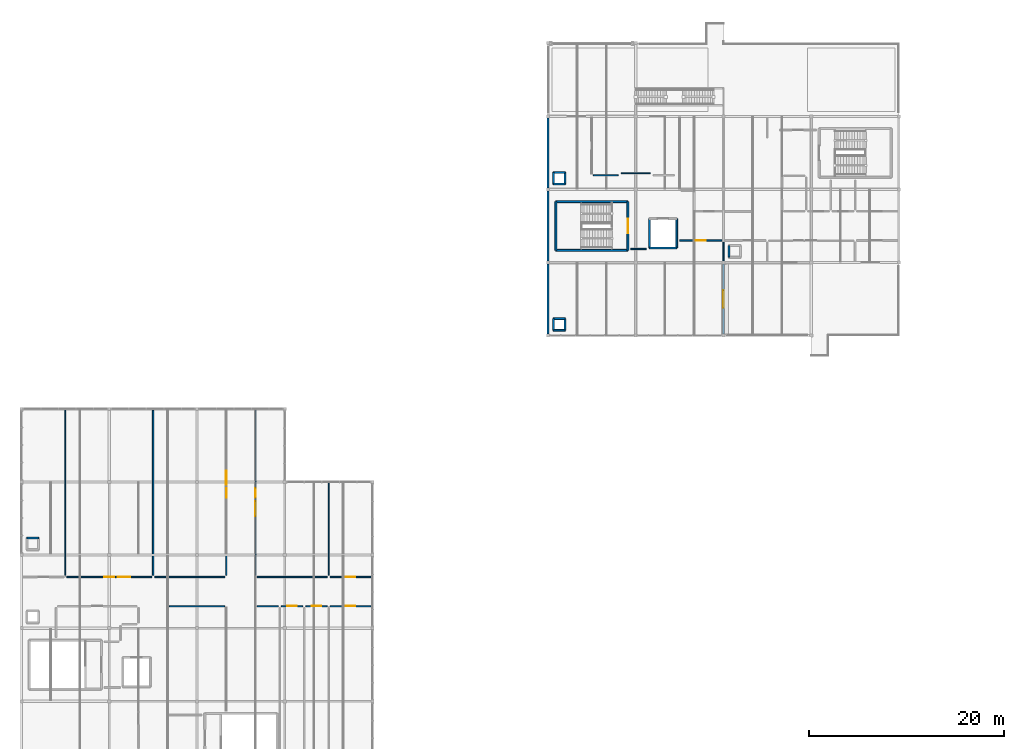
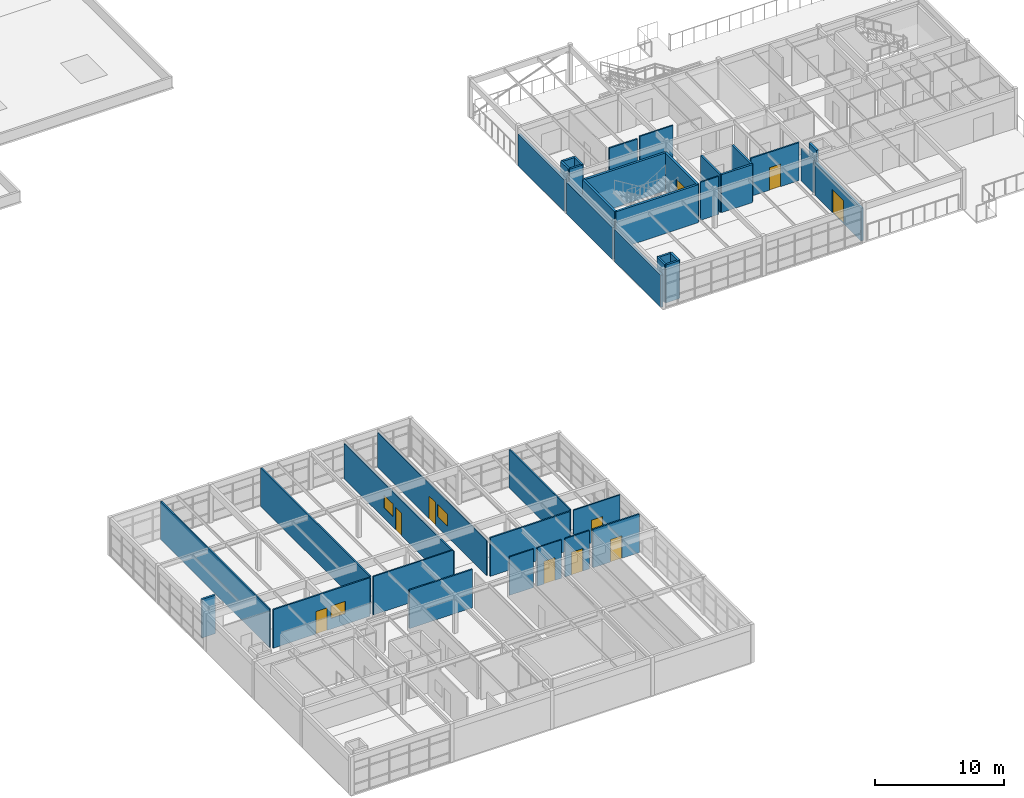
# One storey, part 19 of 24: 40 walls, 10 doors, 3 windows, 13 openings.
"""IFC4 building model written with IfcOpenShell, lengths in metres."""

from ifc_helpers import new_model, si_unit, direction, frame, frame_2d, origin, place, context, subcontext, project, spatial, rectangle, extrude, material, layer, layer_set, type_object, element, fill, save


model = new_model("IFC4")

# Units and contexts
model_context = context("Model", 3, precision=1e-05, world=origin(), true_north=direction((0.0, 1.0)))
body_context = subcontext(model_context, "Body", "Model", "MODEL_VIEW")
ifc_project = project(units=[si_unit("LENGTHUNIT", "METRE"), si_unit("AREAUNIT", "SQUARE_METRE"), si_unit("VOLUMEUNIT", "CUBIC_METRE"), si_unit("PLANEANGLEUNIT", "RADIAN"), si_unit("MASSUNIT", "GRAM", prefix="KILO")], contexts=[model_context])

# Site, building, storey
site_placement = place(None, origin())
site = spatial("IfcSite", under=ifc_project, at=site_placement, CompositionType="ELEMENT")
building_placement = place(site_placement, origin())
building = spatial("IfcBuilding", under=site, at=building_placement, Name="Marnridge Secondary College", CompositionType="ELEMENT")
storey_placement = place(building_placement, frame((0.0, 0.0, 16.10009765625)))
storey = spatial("IfcBuildingStorey", under=building, at=storey_placement, Name="L04", CompositionType="ELEMENT", Elevation=16.10009765625)

# Wall
ifc_material_1 = material(Name="Concrete C40/50 (AS 3600 N40, 40 MPa)", Category="concrete")
ifc_layer_1 = layer(ifc_material_1, 0.199951171875)
ifc_layer_set_1 = layer_set([ifc_layer_1], Name="WT-CORE-RC200")
wall_type_1 = type_object("IfcWallType", Name="WT-CORE-RC200", PredefinedType="SHEAR", material=ifc_layer_set_1)
wall_1_placement = place(storey_placement, frame((54.800048828125, 53.75, 0.0), z_axis=(0.0, 0.0, 1.0), x_axis=(1.0, 0.0, 0.0)))
element("IfcWall", 1, at=wall_1_placement, inside=storey, type_object=wall_type_1, Name="Stair core shear wall WC-L04-0265", PredefinedType="SHEAR", context=body_context, shape_type="SweptSolid", body=[
    extrude(rectangle(XDim=7.39990234375, YDim=0.199951171875, at=frame_2d((3.699951171875, 0.0))), origin(), (0.0, 0.0, 1.0), 3.60986328125),
])

# Wall, opening, door
wall_2_placement = place(storey_placement, frame((62.199951171875, 53.75, 0.0), z_axis=(0.0, 0.0, 1.0), x_axis=(0.0, 1.0, 0.0)))
wall_2 = element("IfcWall", 2, at=wall_2_placement, inside=storey, type_object=wall_type_1, Name="Stair core shear wall WC-L04-0266", PredefinedType="SHEAR", context=body_context, shape_type="SweptSolid", body=[
    extrude(rectangle(XDim=5.0, YDim=0.199951171875, at=frame_2d((2.5, 0.0))), origin(), (0.0, 0.0, 1.0), 3.60986328125),
])
opening_1_placement = place(wall_2_placement, frame((1.75, 0.0, 0.0)))
opening_1 = element("IfcOpeningElement", 3, at=opening_1_placement, cuts=wall_2, Name="Opening DC-L04-005", PredefinedType="OPENING", context=body_context, shape_type="SweptSolid", body=[
    extrude(rectangle(XDim=1.5, YDim=2.14990234375, at=frame_2d((0.75, 1.074951171875))), frame((0.0, 0.10986328125, 0.0), z_axis=(0.0, -1.0, 0.0), x_axis=(1.0, 0.0, 0.0)), (0.0, 0.0, 1.0), 0.219970703125),
])
ifc_material_2 = material(Name="Fire-rated solid-core timber doorset", Category="wood")
door_type_1 = type_object("IfcDoorType", Name="DT-CORE-FD150", OperationType="DOUBLE_DOOR_SINGLE_SWING", PredefinedType="DOOR", material=ifc_material_2)
door_1_placement = place(opening_1_placement, origin())
door_1 = element("IfcDoor", 4, at=door_1_placement, inside=storey, type_object=door_type_1, Name="Fire stair door DC-L04-005", OperationType="DOUBLE_DOOR_SINGLE_SWING", OverallHeight=2.14990234375, OverallWidth=1.5, PredefinedType="DOOR", context=body_context, shape_type="SweptSolid", body=[
    extrude(rectangle(XDim=1.5, YDim=2.14990234375, at=frame_2d((0.75, 1.074951171875))), frame((0.0, 0.02490234375, 0.0), z_axis=(0.0, -1.0, 0.0), x_axis=(1.0, 0.0, 0.0)), (0.0, 0.0, 1.0), 0.050048828125),
])
fill(opening_1, door_1)

# Walls
wall_3_placement = place(storey_placement, frame((62.199951171875, 58.75, 0.0), z_axis=(0.0, 0.0, 1.0), x_axis=(-1.0, 0.0, 0.0)))
element("IfcWall", 5, at=wall_3_placement, inside=storey, type_object=wall_type_1, Name="Stair core shear wall WC-L04-0267", PredefinedType="SHEAR", context=body_context, shape_type="SweptSolid", body=[
    extrude(rectangle(XDim=7.39990234375, YDim=0.199951171875, at=frame_2d((3.699951171875, 0.0))), origin(), (0.0, 0.0, 1.0), 3.60986328125),
])
wall_4_placement = place(storey_placement, frame((54.800048828125, 58.75, 0.0), z_axis=(0.0, 0.0, 1.0), x_axis=(0.0, -1.0, 0.0)))
element("IfcWall", 6, at=wall_4_placement, inside=storey, type_object=wall_type_1, Name="Stair core shear wall WC-L04-0268", PredefinedType="SHEAR", context=body_context, shape_type="SweptSolid", body=[
    extrude(rectangle(XDim=5.0, YDim=0.199951171875, at=frame_2d((2.5, 0.0))), origin(), (0.0, 0.0, 1.0), 3.60986328125),
])

# Wall, opening, door
ifc_material_3 = material(Name="Cross-laminated timber CL5", Category="wood")
ifc_layer_2 = layer(ifc_material_3, 0.215087890625)
ifc_layer_set_2 = layer_set([ifc_layer_2], Name="WT-EXT-CLT215")
wall_type_2 = type_object("IfcWallType", Name="WT-EXT-CLT215", PredefinedType="SOLIDWALL", material=ifc_layer_set_2)
wall_5_placement = place(storey_placement, frame((72.0, 52.346435546875, 0.0), z_axis=(0.0, 0.0, 1.0), x_axis=(0.0, -1.0, 0.0)))
wall_5 = element("IfcWall", 7, at=wall_5_placement, inside=storey, type_object=wall_type_2, Name="Exterior wall WE-L04-0202", PredefinedType="SOLIDWALL", context=body_context, shape_type="SweptSolid", body=[
    extrude(rectangle(XDim=7.19287109375, YDim=0.215087890625, at=frame_2d((3.596435546875, 0.0))), origin(), (0.0, 0.0, 1.0), 3.11181640625),
])
opening_2_placement = place(wall_5_placement, frame((2.696533203125, 0.0, 0.0)))
opening_2 = element("IfcOpeningElement", 8, at=opening_2_placement, cuts=wall_5, Name="Opening DE-L04-045", PredefinedType="OPENING", context=body_context, shape_type="SweptSolid", body=[
    extrude(rectangle(XDim=1.800048828125, YDim=2.199951171875, at=frame_2d((0.89990234375, 1.10009765625))), frame((0.0, 0.117431640625, 0.0), z_axis=(0.0, -1.0, 0.0), x_axis=(1.0, 0.0, 0.0)), (0.0, 0.0, 1.0), 0.235107421875),
])
ifc_material_4 = material(Name="Thermally broken timber-aluminium terrace doorset", Category="wood")
door_type_2 = type_object("IfcDoorType", Name="DT-EXT-TER180", OperationType="DOUBLE_DOOR_SINGLE_SWING", PredefinedType="DOOR", material=ifc_material_4)
door_2_placement = place(opening_2_placement, origin())
door_2 = element("IfcDoor", 9, at=door_2_placement, inside=storey, type_object=door_type_2, Name="Play deck access door DE-L04-045", OperationType="DOUBLE_DOOR_SINGLE_SWING", OverallHeight=2.199951171875, OverallWidth=1.800048828125, PredefinedType="DOOR", context=body_context, shape_type="SweptSolid", body=[
    extrude(rectangle(XDim=1.800048828125, YDim=2.199951171875, at=frame_2d((0.89990234375, 1.10009765625))), frame((0.0, 0.02490234375, 0.0), z_axis=(0.0, -1.0, 0.0), x_axis=(1.0, 0.0, 0.0)), (0.0, 0.0, 1.0), 0.050048828125),
])
fill(opening_2, door_2)

# Walls
wall_6_placement = place(storey_placement, frame((54.0, 45.153564453125, 0.0), z_axis=(0.0, 0.0, 1.0), x_axis=(0.0, 1.0, 0.0)))
element("IfcWall", 10, at=wall_6_placement, inside=storey, type_object=wall_type_2, Name="Exterior wall WE-L04-0203", PredefinedType="SOLIDWALL", context=body_context, shape_type="SweptSolid", body=[
    extrude(rectangle(XDim=7.19287109375, YDim=0.215087890625, at=frame_2d((3.596435546875, 0.0))), origin(), (0.0, 0.0, 1.0), 3.046875),
])
for number, where, z_axis, x_axis, name in (
    (11, (54.0, 52.653564453125, 0.0), (0.0, 0.0, 1.0), (0.0, 1.0, 0.0), "Exterior wall WE-L04-0204"),
    (12, (54.0, 60.153564453125, 0.0), (0.0, 0.0, 1.0), (0.0, 1.0, 0.0), "Exterior wall WE-L04-0205"),
):
    element("IfcWall", number, at=place(storey_placement, frame(where, z_axis=z_axis, x_axis=x_axis)), inside=storey, type_object=wall_type_2, Name=name, PredefinedType="SOLIDWALL", context=body_context, shape_type="SweptSolid", body=[
        extrude(rectangle(XDim=7.19287109375, YDim=0.215087890625, at=frame_2d((3.596435546875, 0.0))), origin(), (0.0, 0.0, 1.0), 3.016845703125),
    ])
ifc_material_5 = material(Name="Acoustic plasterboard partition Rw45", Category="gypsum")
ifc_layer_3 = layer(ifc_material_5, 0.1201171875)
ifc_layer_set_3 = layer_set([ifc_layer_3], Name="WT-PART-AC120")
wall_type_3 = type_object("IfcWallType", Name="WT-PART-AC120", PredefinedType="PARTITIONING", material=ifc_layer_set_3)
wall_7_placement = place(storey_placement, frame((64.10009765625, 53.89990234375, 0.0), z_axis=(0.0, 0.0, 1.0), x_axis=(-1.0, 0.0, 0.0)))
element("IfcWall", 13, at=wall_7_placement, inside=storey, type_object=wall_type_3, Name="Interior partition WP-L04-0409", PredefinedType="PARTITIONING", context=body_context, shape_type="SweptSolid", body=[
    extrude(rectangle(XDim=1.60009765625, YDim=0.1201171875, at=frame_2d((0.800048828125, 0.0))), origin(), (0.0, 0.0, 1.0), 3.60986328125),
])
wall_8_placement = place(storey_placement, frame((61.510009765625, 61.64990234375, 0.0), z_axis=(0.0, 0.0, 1.0), x_axis=(1.0, 0.0, 0.0)))
element("IfcWall", 14, at=wall_8_placement, inside=storey, type_object=wall_type_3, Name="Interior partition WP-L04-0415", PredefinedType="PARTITIONING", context=body_context, shape_type="SweptSolid", body=[
    extrude(rectangle(XDim=2.97998046875, YDim=0.1201171875, at=frame_2d((1.489990234375, 0.0))), origin(), (0.0, 0.0, 1.0), 3.60986328125),
])
wall_9_placement = place(storey_placement, frame((13.659912109375, 20.25, 0.0), z_axis=(0.0, 0.0, 1.0), x_axis=(1.0, 0.0, 0.0)))
element("IfcWall", 15, at=wall_9_placement, inside=storey, type_object=wall_type_3, Name="Interior partition WP-L04-0453", PredefinedType="PARTITIONING", context=body_context, shape_type="SweptSolid", body=[
    extrude(rectangle(XDim=7.18017578125, YDim=0.1201171875, at=frame_2d((3.590087890625, 0.0))), origin(), (0.0, 0.0, 1.0), 3.64990234375),
])

# Wall, opening, door
wall_10_placement = place(storey_placement, frame((31.659912109375, 20.25, 0.0), z_axis=(0.0, 0.0, 1.0), x_axis=(1.0, 0.0, 0.0)))
wall_10 = element("IfcWall", 16, at=wall_10_placement, inside=storey, type_object=wall_type_3, Name="Interior partition WP-L04-0457", PredefinedType="PARTITIONING", context=body_context, shape_type="SweptSolid", body=[
    extrude(rectangle(XDim=4.18017578125, YDim=0.1201171875, at=frame_2d((2.090087890625, 0.0))), origin(), (0.0, 0.0, 1.0), 3.64990234375),
])
opening_3_placement = place(wall_10_placement, frame((1.590087890625, 0.0, 0.0)))
opening_3 = element("IfcOpeningElement", 17, at=opening_3_placement, cuts=wall_10, Name="Opening DI-L04-0169", PredefinedType="OPENING", context=body_context, shape_type="SweptSolid", body=[
    extrude(rectangle(XDim=1.0, YDim=2.14990234375, at=frame_2d((0.5, 1.074951171875))), frame((0.0, 0.070068359375, 0.0), z_axis=(0.0, -1.0, 0.0), x_axis=(1.0, 0.0, 0.0)), (0.0, 0.0, 1.0), 0.14013671875),
])
ifc_material_6 = material(Name="Solid-core acoustic hoop-pine classroom doorset", Category="wood")
door_type_3 = type_object("IfcDoorType", Name="DT-CLS-100", OperationType="NOTDEFINED", PredefinedType="DOOR", material=ifc_material_6)
door_3_placement = place(opening_3_placement, origin())
door_3 = element("IfcDoor", 18, at=door_3_placement, inside=storey, type_object=door_type_3, Name="Interior door DI-L04-0169", OperationType="SINGLE_SWING_LEFT", OverallHeight=2.14990234375, OverallWidth=1.0, PredefinedType="DOOR", context=body_context, shape_type="SweptSolid", body=[
    extrude(rectangle(XDim=1.0, YDim=2.14990234375, at=frame_2d((0.5, 1.074951171875))), frame((0.0, 0.02490234375, 0.0), z_axis=(0.0, -1.0, 0.0), x_axis=(1.0, 0.0, 0.0)), (0.0, 0.0, 1.0), 0.050048828125),
])
fill(opening_3, door_3)

# Walls
wall_11_placement = place(storey_placement, frame((4.5, 20.409912109375, 0.0), z_axis=(0.0, 0.0, 1.0), x_axis=(0.0, 1.0, 0.0)))
element("IfcWall", 19, at=wall_11_placement, inside=storey, type_object=wall_type_3, Name="Interior partition WP-L04-0459", PredefinedType="PARTITIONING", context=body_context, shape_type="SweptSolid", body=[
    extrude(rectangle(XDim=16.93017578125, YDim=0.1201171875, at=frame_2d((8.465087890625, 0.0))), origin(), (0.0, 0.0, 1.0), 3.64990234375),
])
wall_12_placement = place(storey_placement, frame((31.5, 20.409912109375, 0.0), z_axis=(0.0, 0.0, 1.0), x_axis=(0.0, 1.0, 0.0)))
element("IfcWall", 20, at=wall_12_placement, inside=storey, type_object=wall_type_3, Name="Interior partition WP-L04-0461", PredefinedType="PARTITIONING", context=body_context, shape_type="SweptSolid", body=[
    extrude(rectangle(XDim=9.43017578125, YDim=0.1201171875, at=frame_2d((4.715087890625, 0.0))), origin(), (0.0, 0.0, 1.0), 3.64990234375),
])

# Wall, opening, door
ifc_material_7 = material(Name="Acoustic plasterboard partition Rw48", Category="gypsum")
ifc_layer_4 = layer(ifc_material_7, 0.135009765625)
ifc_layer_set_4 = layer_set([ifc_layer_4], Name="WT-PART-AC135")
wall_type_4 = type_object("IfcWallType", Name="WT-PART-AC135", PredefinedType="PARTITIONING", material=ifc_layer_set_4)
wall_13_placement = place(storey_placement, frame((71.840087890625, 54.75, 0.0), z_axis=(0.0, 0.0, 1.0), x_axis=(-1.0, 0.0, 0.0)))
wall_13 = element("IfcWall", 21, at=wall_13_placement, inside=storey, type_object=wall_type_4, Name="Interior partition WP-L04-0408", PredefinedType="PARTITIONING", context=body_context, shape_type="SweptSolid", body=[
    extrude(rectangle(XDim=4.340087890625, YDim=0.135009765625, at=frame_2d((2.169921875, 0.0))), origin(), (0.0, 0.0, 1.0), 3.60986328125),
])
opening_4_placement = place(wall_13_placement, frame((1.669921875, 0.0, 0.0)))
opening_4 = element("IfcOpeningElement", 22, at=opening_4_placement, cuts=wall_13, Name="Opening DI-L04-0148", PredefinedType="OPENING", context=body_context, shape_type="SweptSolid", body=[
    extrude(rectangle(XDim=1.0, YDim=2.14990234375, at=frame_2d((0.5, 1.074951171875))), frame((0.0, 0.077392578125, 0.0), z_axis=(0.0, -1.0, 0.0), x_axis=(1.0, 0.0, 0.0)), (0.0, 0.0, 1.0), 0.155029296875),
])
door_4_placement = place(opening_4_placement, origin())
door_4 = element("IfcDoor", 23, at=door_4_placement, inside=storey, type_object=door_type_3, Name="Interior door DI-L04-0148", OperationType="SINGLE_SWING_RIGHT", OverallHeight=2.14990234375, OverallWidth=1.0, PredefinedType="DOOR", context=body_context, shape_type="SweptSolid", body=[
    extrude(rectangle(XDim=1.0, YDim=2.14990234375, at=frame_2d((0.5, 1.074951171875))), frame((0.0, 0.02490234375, 0.0), z_axis=(0.0, -1.0, 0.0), x_axis=(1.0, 0.0, 0.0)), (0.0, 0.0, 1.0), 0.050048828125),
])
fill(opening_4, door_4)

# Walls
wall_14_placement = place(storey_placement, frame((58.659912109375, 61.449951171875, 0.0), z_axis=(0.0, 0.0, 1.0), x_axis=(1.0, 0.0, 0.0)))
element("IfcWall", 24, at=wall_14_placement, inside=storey, type_object=wall_type_4, Name="Interior partition WP-L04-0414", PredefinedType="PARTITIONING", context=body_context, shape_type="SweptSolid", body=[
    extrude(rectangle(XDim=2.530029296875, YDim=0.135009765625, at=frame_2d((1.26513671875, 0.0))), origin(), (0.0, 0.0, 1.0), 3.60986328125),
])
wall_15_placement = place(storey_placement, frame((72.0, 52.659912109375, 0.0), z_axis=(0.0, 0.0, 1.0), x_axis=(0.0, 1.0, 0.0)))
element("IfcWall", 25, at=wall_15_placement, inside=storey, type_object=wall_type_4, Name="Interior partition WP-L04-0424", PredefinedType="PARTITIONING", context=body_context, shape_type="SweptSolid", body=[
    extrude(rectangle(XDim=1.93017578125, YDim=0.135009765625, at=frame_2d((0.965087890625, 0.0))), origin(), (0.0, 0.0, 1.0), 3.081787109375),
])

# Wall, opening, door
wall_16_placement = place(storey_placement, frame((35.840087890625, 17.25, 0.0), z_axis=(0.0, 0.0, 1.0), x_axis=(-1.0, 0.0, 0.0)))
wall_16 = element("IfcWall", 26, at=wall_16_placement, inside=storey, type_object=wall_type_4, Name="Interior partition WP-L04-0440", PredefinedType="PARTITIONING", context=body_context, shape_type="SweptSolid", body=[
    extrude(rectangle(XDim=4.18017578125, YDim=0.135009765625, at=frame_2d((2.090087890625, 0.0))), origin(), (0.0, 0.0, 1.0), 3.64990234375),
])
opening_5_placement = place(wall_16_placement, frame((1.590087890625, 0.0, 0.0)))
opening_5 = element("IfcOpeningElement", 27, at=opening_5_placement, cuts=wall_16, Name="Opening DI-L04-0162", PredefinedType="OPENING", context=body_context, shape_type="SweptSolid", body=[
    extrude(rectangle(XDim=1.0, YDim=2.14990234375, at=frame_2d((0.5, 1.074951171875))), frame((0.0, 0.077392578125, 0.0), z_axis=(0.0, -1.0, 0.0), x_axis=(1.0, 0.0, 0.0)), (0.0, 0.0, 1.0), 0.155029296875),
])
door_5_placement = place(opening_5_placement, origin())
door_5 = element("IfcDoor", 28, at=door_5_placement, inside=storey, type_object=door_type_3, Name="Interior door DI-L04-0162", OperationType="SINGLE_SWING_RIGHT", OverallHeight=2.14990234375, OverallWidth=1.0, PredefinedType="DOOR", context=body_context, shape_type="SweptSolid", body=[
    extrude(rectangle(XDim=1.0, YDim=2.14990234375, at=frame_2d((0.5, 1.074951171875))), frame((0.0, 0.02490234375, 0.0), z_axis=(0.0, -1.0, 0.0), x_axis=(1.0, 0.0, 0.0)), (0.0, 0.0, 1.0), 0.050048828125),
])
fill(opening_5, door_5)

# Wall
wall_17_placement = place(storey_placement, frame((20.840087890625, 17.25, 0.0), z_axis=(0.0, 0.0, 1.0), x_axis=(-1.0, 0.0, 0.0)))
element("IfcWall", 29, at=wall_17_placement, inside=storey, type_object=wall_type_4, Name="Interior partition WP-L04-0442", PredefinedType="PARTITIONING", context=body_context, shape_type="SweptSolid", body=[
    extrude(rectangle(XDim=5.68017578125, YDim=0.135009765625, at=frame_2d((2.840087890625, 0.0))), origin(), (0.0, 0.0, 1.0), 3.64990234375),
])

# Wall, openings, door, window
wall_18_placement = place(storey_placement, frame((4.659912109375, 20.25, 0.0), z_axis=(0.0, 0.0, 1.0), x_axis=(1.0, 0.0, 0.0)))
wall_18 = element("IfcWall", 30, at=wall_18_placement, inside=storey, type_object=wall_type_4, Name="Interior partition WP-L04-0452", PredefinedType="PARTITIONING", context=body_context, shape_type="SweptSolid", body=[
    extrude(rectangle(XDim=8.68017578125, YDim=0.135009765625, at=frame_2d((4.340087890625, 0.0))), origin(), (0.0, 0.0, 1.0), 3.64990234375),
])
opening_6_placement = place(wall_18_placement, frame((3.840087890625, 0.0, 0.0)))
opening_6 = element("IfcOpeningElement", 31, at=opening_6_placement, cuts=wall_18, Name="Opening DI-L04-0166", PredefinedType="OPENING", context=body_context, shape_type="SweptSolid", body=[
    extrude(rectangle(XDim=1.0, YDim=2.14990234375, at=frame_2d((0.5, 1.074951171875))), frame((0.0, 0.077392578125, 0.0), z_axis=(0.0, -1.0, 0.0), x_axis=(1.0, 0.0, 0.0)), (0.0, 0.0, 1.0), 0.155029296875),
])
opening_7_placement = place(wall_18_placement, frame((5.18994140625, 0.0, 1.02001953125)))
opening_7 = element("IfcOpeningElement", 32, at=opening_7_placement, cuts=wall_18, Name="Opening WNI-L04-041", PredefinedType="OPENING", context=body_context, shape_type="SweptSolid", body=[
    extrude(rectangle(XDim=1.300048828125, YDim=1.179931640625, at=frame_2d((0.64990234375, 0.58984375))), frame((0.0, 0.077392578125, 0.0), z_axis=(0.0, -1.0, 0.0), x_axis=(1.0, 0.0, 0.0)), (0.0, 0.0, 1.0), 0.155029296875),
])
door_6_placement = place(opening_6_placement, origin())
door_6 = element("IfcDoor", 33, at=door_6_placement, inside=storey, type_object=door_type_3, Name="Interior door DI-L04-0166", OperationType="SINGLE_SWING_RIGHT", OverallHeight=2.14990234375, OverallWidth=1.0, PredefinedType="DOOR", context=body_context, shape_type="SweptSolid", body=[
    extrude(rectangle(XDim=1.0, YDim=2.14990234375, at=frame_2d((0.5, 1.074951171875))), frame((0.0, 0.02490234375, 0.0), z_axis=(0.0, -1.0, 0.0), x_axis=(1.0, 0.0, 0.0)), (0.0, 0.0, 1.0), 0.050048828125),
])
fill(opening_6, door_6)
ifc_material_8 = material(Name="Acoustic laminated interior vision glazing", Category="glass")
window_type_1 = type_object("IfcWindowType", Name="WN-BL-VAR05", PartitioningType="DOUBLE_PANEL_VERTICAL", PredefinedType="WINDOW", material=ifc_material_8)
window_1_placement = place(opening_7_placement, origin())
window_1 = element("IfcWindow", 34, at=window_1_placement, inside=storey, type_object=window_type_1, Name="Interior vision window WNI-L04-041", OverallHeight=1.179931640625, OverallWidth=1.300048828125, PartitioningType="DOUBLE_PANEL_VERTICAL", PredefinedType="WINDOW", context=body_context, shape_type="SweptSolid", body=[
    extrude(rectangle(XDim=1.300048828125, YDim=1.179931640625, at=frame_2d((0.64990234375, 0.58984375))), frame((0.0, 0.030029296875, 0.0), z_axis=(0.0, -1.0, 0.0), x_axis=(1.0, 0.0, 0.0)), (0.0, 0.0, 1.0), 0.06005859375),
])
fill(opening_7, window_1)

wall_19_placement = place(storey_placement, frame((21.0, 20.409912109375, 0.0), z_axis=(0.0, 0.0, 1.0), x_axis=(0.0, 1.0, 0.0)))
wall_19 = element("IfcWall", 35, at=wall_19_placement, inside=storey, type_object=wall_type_4, Name="Interior partition WP-L04-0454", PredefinedType="PARTITIONING", context=body_context, shape_type="SweptSolid", body=[
    extrude(rectangle(XDim=16.93017578125, YDim=0.135009765625, at=frame_2d((8.465087890625, 0.0))), origin(), (0.0, 0.0, 1.0), 3.341796875),
])
opening_8_placement = place(wall_19_placement, frame((7.965087890625, 0.0, 0.0)))
opening_8 = element("IfcOpeningElement", 36, at=opening_8_placement, cuts=wall_19, Name="Opening DI-L04-0167", PredefinedType="OPENING", context=body_context, shape_type="SweptSolid", body=[
    extrude(rectangle(XDim=1.0, YDim=2.14990234375, at=frame_2d((0.5, 1.074951171875))), frame((0.0, 0.077392578125, 0.0), z_axis=(0.0, -1.0, 0.0), x_axis=(1.0, 0.0, 0.0)), (0.0, 0.0, 1.0), 0.155029296875),
])
opening_9_placement = place(wall_19_placement, frame((9.31494140625, 0.0, 1.02001953125)))
opening_9 = element("IfcOpeningElement", 37, at=opening_9_placement, cuts=wall_19, Name="Opening WNI-L04-042", PredefinedType="OPENING", context=body_context, shape_type="SweptSolid", body=[
    extrude(rectangle(XDim=1.39990234375, YDim=1.199951171875, at=frame_2d((0.699951171875, 0.60009765625))), frame((0.0, 0.077392578125, 0.0), z_axis=(0.0, -1.0, 0.0), x_axis=(1.0, 0.0, 0.0)), (0.0, 0.0, 1.0), 0.155029296875),
])
door_7_placement = place(opening_8_placement, origin())
door_7 = element("IfcDoor", 38, at=door_7_placement, inside=storey, type_object=door_type_3, Name="Interior door DI-L04-0167", OperationType="SINGLE_SWING_LEFT", OverallHeight=2.14990234375, OverallWidth=1.0, PredefinedType="DOOR", context=body_context, shape_type="SweptSolid", body=[
    extrude(rectangle(XDim=1.0, YDim=2.14990234375, at=frame_2d((0.5, 1.074951171875))), frame((0.0, 0.02490234375, 0.0), z_axis=(0.0, -1.0, 0.0), x_axis=(1.0, 0.0, 0.0)), (0.0, 0.0, 1.0), 0.050048828125),
])
fill(opening_8, door_7)
ifc_material_9 = material(Name="Acoustic laminated interior vision glazing", Category="glass")
window_type_2 = type_object("IfcWindowType", Name="WN-BL-VAR06", PartitioningType="DOUBLE_PANEL_VERTICAL", PredefinedType="WINDOW", material=ifc_material_9)
window_2_placement = place(opening_9_placement, origin())
window_2 = element("IfcWindow", 39, at=window_2_placement, inside=storey, type_object=window_type_2, Name="Interior vision window WNI-L04-042", OverallHeight=1.199951171875, OverallWidth=1.39990234375, PartitioningType="DOUBLE_PANEL_VERTICAL", PredefinedType="WINDOW", context=body_context, shape_type="SweptSolid", body=[
    extrude(rectangle(XDim=1.39990234375, YDim=1.199951171875, at=frame_2d((0.699951171875, 0.60009765625))), frame((0.0, 0.030029296875, 0.0), z_axis=(0.0, -1.0, 0.0), x_axis=(1.0, 0.0, 0.0)), (0.0, 0.0, 1.0), 0.06005859375),
])
fill(opening_9, window_2)

# Walls
wall_20_placement = place(storey_placement, frame((24.159912109375, 20.25, 0.0), z_axis=(0.0, 0.0, 1.0), x_axis=(1.0, 0.0, 0.0)))
element("IfcWall", 40, at=wall_20_placement, inside=storey, type_object=wall_type_4, Name="Interior partition WP-L04-0456", PredefinedType="PARTITIONING", context=body_context, shape_type="SweptSolid", body=[
    extrude(rectangle(XDim=7.18017578125, YDim=0.135009765625, at=frame_2d((3.590087890625, 0.0))), origin(), (0.0, 0.0, 1.0), 3.64990234375),
])
wall_21_placement = place(storey_placement, frame((13.5, 20.409912109375, 0.0), z_axis=(0.0, 0.0, 1.0), x_axis=(0.0, 1.0, 0.0)))
element("IfcWall", 41, at=wall_21_placement, inside=storey, type_object=wall_type_4, Name="Interior partition WP-L04-0460", PredefinedType="PARTITIONING", context=body_context, shape_type="SweptSolid", body=[
    extrude(rectangle(XDim=16.93017578125, YDim=0.135009765625, at=frame_2d((8.465087890625, 0.0))), origin(), (0.0, 0.0, 1.0), 3.64990234375),
])

# Wall, openings, door, window
ifc_material_10 = material(Name="Acoustic glazed studio partition system", Category="gypsum")
ifc_layer_5 = layer(ifc_material_10, 0.10009765625)
ifc_layer_set_5 = layer_set([ifc_layer_5], Name="WT-PART-GL100")
wall_type_5 = type_object("IfcWallType", Name="WT-PART-GL100", PredefinedType="PARTITIONING", material=ifc_layer_set_5)
wall_22_placement = place(storey_placement, frame((24.0, 37.340087890625, 0.0), z_axis=(0.0, 0.0, 1.0), x_axis=(0.0, -1.0, 0.0)))
wall_22 = element("IfcWall", 42, at=wall_22_placement, inside=storey, type_object=wall_type_5, Name="Interior partition WP-L04-0455", PredefinedType="PARTITIONING", context=body_context, shape_type="SweptSolid", body=[
    extrude(rectangle(XDim=16.93017578125, YDim=0.10009765625, at=frame_2d((8.465087890625, 0.0))), origin(), (0.0, 0.0, 1.0), 3.341796875),
])
opening_10_placement = place(wall_22_placement, frame((7.965087890625, 0.0, 0.0)))
opening_10 = element("IfcOpeningElement", 43, at=opening_10_placement, cuts=wall_22, Name="Opening DI-L04-0168", PredefinedType="OPENING", context=body_context, shape_type="SweptSolid", body=[
    extrude(rectangle(XDim=1.0, YDim=2.14990234375, at=frame_2d((0.5, 1.074951171875))), frame((0.0, 0.06005859375, 0.0), z_axis=(0.0, -1.0, 0.0), x_axis=(1.0, 0.0, 0.0)), (0.0, 0.0, 1.0), 0.1201171875),
])
opening_11_placement = place(wall_22_placement, frame((9.31494140625, 0.0, 1.02001953125)))
opening_11 = element("IfcOpeningElement", 44, at=opening_11_placement, cuts=wall_22, Name="Opening WNI-L04-043", PredefinedType="OPENING", context=body_context, shape_type="SweptSolid", body=[
    extrude(rectangle(XDim=1.52001953125, YDim=1.159912109375, at=frame_2d((0.760009765625, 0.580078125))), frame((0.0, 0.06005859375, 0.0), z_axis=(0.0, -1.0, 0.0), x_axis=(1.0, 0.0, 0.0)), (0.0, 0.0, 1.0), 0.1201171875),
])
door_8_placement = place(opening_10_placement, origin())
door_8 = element("IfcDoor", 45, at=door_8_placement, inside=storey, type_object=door_type_3, Name="Interior door DI-L04-0168", OperationType="SINGLE_SWING_RIGHT", OverallHeight=2.14990234375, OverallWidth=1.0, PredefinedType="DOOR", context=body_context, shape_type="SweptSolid", body=[
    extrude(rectangle(XDim=1.0, YDim=2.14990234375, at=frame_2d((0.5, 1.074951171875))), frame((0.0, 0.02490234375, 0.0), z_axis=(0.0, -1.0, 0.0), x_axis=(1.0, 0.0, 0.0)), (0.0, 0.0, 1.0), 0.050048828125),
])
fill(opening_10, door_8)
ifc_material_11 = material(Name="Acoustic laminated interior vision glazing", Category="glass")
window_type_3 = type_object("IfcWindowType", Name="WN-BL-VAR07", PartitioningType="DOUBLE_PANEL_VERTICAL", PredefinedType="WINDOW", material=ifc_material_11)
window_3_placement = place(opening_11_placement, origin())
window_3 = element("IfcWindow", 46, at=window_3_placement, inside=storey, type_object=window_type_3, Name="Interior vision window WNI-L04-043", OverallHeight=1.159912109375, OverallWidth=1.52001953125, PartitioningType="DOUBLE_PANEL_VERTICAL", PredefinedType="WINDOW", context=body_context, shape_type="SweptSolid", body=[
    extrude(rectangle(XDim=1.52001953125, YDim=1.159912109375, at=frame_2d((0.760009765625, 0.580078125))), frame((0.0, 0.030029296875, 0.0), z_axis=(0.0, -1.0, 0.0), x_axis=(1.0, 0.0, 0.0)), (0.0, 0.0, 1.0), 0.06005859375),
])
fill(opening_11, window_3)

# Wall
ifc_material_12 = material(Name="Moisture-resistant plasterboard sanitary partition", Category="gypsum")
ifc_layer_6 = layer(ifc_material_12, 0.110107421875)
ifc_layer_set_6 = layer_set([ifc_layer_6], Name="WT-PART-WT110")
wall_type_6 = type_object("IfcWallType", Name="WT-PART-WT110", PredefinedType="PARTITIONING", material=ifc_layer_set_6)
wall_23_placement = place(storey_placement, frame((26.340087890625, 17.25, 0.0), z_axis=(0.0, 0.0, 1.0), x_axis=(-1.0, 0.0, 0.0)))
element("IfcWall", 47, at=wall_23_placement, inside=storey, type_object=wall_type_6, Name="Interior partition WP-L04-0432", PredefinedType="PARTITIONING", context=body_context, shape_type="SweptSolid", body=[
    extrude(rectangle(XDim=2.18017578125, YDim=0.110107421875, at=frame_2d((1.090087890625, 0.0))), origin(), (0.0, 0.0, 1.0), 3.64990234375),
])

# Wall, opening, door
wall_24_placement = place(storey_placement, frame((28.840087890625, 17.25, 0.0), z_axis=(0.0, 0.0, 1.0), x_axis=(-1.0, 0.0, 0.0)))
wall_24 = element("IfcWall", 48, at=wall_24_placement, inside=storey, type_object=wall_type_6, Name="Interior partition WP-L04-0434", PredefinedType="PARTITIONING", context=body_context, shape_type="SweptSolid", body=[
    extrude(rectangle(XDim=2.18017578125, YDim=0.110107421875, at=frame_2d((1.090087890625, 0.0))), origin(), (0.0, 0.0, 1.0), 3.64990234375),
])
opening_12_placement = place(wall_24_placement, frame((0.590087890625, 0.0, 0.0)))
opening_12 = element("IfcOpeningElement", 49, at=opening_12_placement, cuts=wall_24, Name="Opening DI-L04-0158", PredefinedType="OPENING", context=body_context, shape_type="SweptSolid", body=[
    extrude(rectangle(XDim=1.0, YDim=2.14990234375, at=frame_2d((0.5, 1.074951171875))), frame((0.0, 0.06494140625, 0.0), z_axis=(0.0, -1.0, 0.0), x_axis=(1.0, 0.0, 0.0)), (0.0, 0.0, 1.0), 0.130126953125),
])
door_9_placement = place(opening_12_placement, origin())
door_9 = element("IfcDoor", 50, at=door_9_placement, inside=storey, type_object=door_type_3, Name="Interior door DI-L04-0158", OperationType="SINGLE_SWING_RIGHT", OverallHeight=2.14990234375, OverallWidth=1.0, PredefinedType="DOOR", context=body_context, shape_type="SweptSolid", body=[
    extrude(rectangle(XDim=1.0, YDim=2.14990234375, at=frame_2d((0.5, 1.074951171875))), frame((0.0, 0.02490234375, 0.0), z_axis=(0.0, -1.0, 0.0), x_axis=(1.0, 0.0, 0.0)), (0.0, 0.0, 1.0), 0.050048828125),
])
fill(opening_12, door_9)

wall_25_placement = place(storey_placement, frame((31.340087890625, 17.25, 0.0), z_axis=(0.0, 0.0, 1.0), x_axis=(-1.0, 0.0, 0.0)))
wall_25 = element("IfcWall", 51, at=wall_25_placement, inside=storey, type_object=wall_type_6, Name="Interior partition WP-L04-0435", PredefinedType="PARTITIONING", context=body_context, shape_type="SweptSolid", body=[
    extrude(rectangle(XDim=2.18017578125, YDim=0.110107421875, at=frame_2d((1.090087890625, 0.0))), origin(), (0.0, 0.0, 1.0), 3.64990234375),
])
opening_13_placement = place(wall_25_placement, frame((0.590087890625, 0.0, 0.0)))
opening_13 = element("IfcOpeningElement", 52, at=opening_13_placement, cuts=wall_25, Name="Opening DI-L04-0159", PredefinedType="OPENING", context=body_context, shape_type="SweptSolid", body=[
    extrude(rectangle(XDim=1.0, YDim=2.14990234375, at=frame_2d((0.5, 1.074951171875))), frame((0.0, 0.06494140625, 0.0), z_axis=(0.0, -1.0, 0.0), x_axis=(1.0, 0.0, 0.0)), (0.0, 0.0, 1.0), 0.130126953125),
])
door_10_placement = place(opening_13_placement, origin())
door_10 = element("IfcDoor", 53, at=door_10_placement, inside=storey, type_object=door_type_3, Name="Interior door DI-L04-0159", OperationType="SINGLE_SWING_LEFT", OverallHeight=2.14990234375, OverallWidth=1.0, PredefinedType="DOOR", context=body_context, shape_type="SweptSolid", body=[
    extrude(rectangle(XDim=1.0, YDim=2.14990234375, at=frame_2d((0.5, 1.074951171875))), frame((0.0, 0.02490234375, 0.0), z_axis=(0.0, -1.0, 0.0), x_axis=(1.0, 0.0, 0.0)), (0.0, 0.0, 1.0), 0.050048828125),
])
fill(opening_13, door_10)

# Walls
ifc_material_13 = material(Name="Concrete C40/50 (AS 3600 N40, 40 MPa)", Category="concrete")
ifc_layer_7 = layer(ifc_material_13, 0.179931640625)
ifc_layer_set_7 = layer_set([ifc_layer_7], Name="WT-SHAFT-RC180")
wall_type_7 = type_object("IfcWallType", Name="WT-SHAFT-RC180", PredefinedType="SHEAR", material=ifc_layer_set_7)
for number, where, z_axis, x_axis, name in (
    (54, (55.75, 45.550048828125, 0.0), (0.0, 0.0, 1.0), (-1.0, 0.0, 0.0), "Service riser shaft wall WR-L04-0217"),
    (55, (54.550048828125, 45.550048828125, 0.0), (0.0, 0.0, 1.0), (0.0, 1.0, 0.0), "Service riser shaft wall WR-L04-0218"),
    (56, (54.550048828125, 46.75, 0.0), (0.0, 0.0, 1.0), (1.0, 0.0, 0.0), "Service riser shaft wall WR-L04-0219"),
    (57, (55.75, 46.75, 0.0), (0.0, 0.0, 1.0), (0.0, -1.0, 0.0), "Service riser shaft wall WR-L04-0220"),
    (58, (55.75, 60.550048828125, 0.0), (0.0, 0.0, 1.0), (-1.0, 0.0, 0.0), "Service riser shaft wall WR-L04-0221"),
    (59, (54.550048828125, 60.550048828125, 0.0), (0.0, 0.0, 1.0), (0.0, 1.0, 0.0), "Service riser shaft wall WR-L04-0222"),
    (60, (54.550048828125, 61.75, 0.0), (0.0, 0.0, 1.0), (1.0, 0.0, 0.0), "Service riser shaft wall WR-L04-0223"),
    (61, (55.75, 61.75, 0.0), (0.0, 0.0, 1.0), (0.0, -1.0, 0.0), "Service riser shaft wall WR-L04-0224"),
):
    element("IfcWall", number, at=place(storey_placement, frame(where, z_axis=z_axis, x_axis=x_axis)), inside=storey, type_object=wall_type_7, Name=name, PredefinedType="SHEAR", context=body_context, shape_type="SweptSolid", body=[
        extrude(rectangle(XDim=1.199951171875, YDim=0.179931640625, at=frame_2d((0.60009765625, 0.0))), origin(), (0.0, 0.0, 1.0), 3.60986328125),
    ])
wall_26_placement = place(storey_placement, frame((0.550048828125, 24.25, 0.0), z_axis=(0.0, 0.0, 1.0), x_axis=(1.0, 0.0, 0.0)))
element("IfcWall", 62, at=wall_26_placement, inside=storey, type_object=wall_type_7, Name="Service riser shaft wall WR-L04-0235", PredefinedType="SHEAR", context=body_context, shape_type="SweptSolid", body=[
    extrude(rectangle(XDim=1.199951171875, YDim=0.179931640625, at=frame_2d((0.60009765625, 0.0))), origin(), (0.0, 0.0, 1.0), 3.64990234375),
])
wall_27_placement = place(storey_placement, frame((72.550048828125, 53.050048828125, 0.0), z_axis=(0.0, 0.0, 1.0), x_axis=(0.0, 1.0, 0.0)))
element("IfcWall", 63, at=wall_27_placement, inside=storey, type_object=wall_type_7, Name="Service riser shaft wall WR-L04-0238", PredefinedType="SHEAR", context=body_context, shape_type="SweptSolid", body=[
    extrude(rectangle(XDim=1.199951171875, YDim=0.179931640625, at=frame_2d((0.60009765625, 0.0))), origin(), (0.0, 0.0, 1.0), 3.60986328125),
])
wall_28_placement = place(storey_placement, frame((67.199951171875, 54.0, 0.0), z_axis=(0.0, 0.0, 1.0), x_axis=(-1.0, 0.0, 0.0)))
element("IfcWall", 64, at=wall_28_placement, inside=storey, type_object=wall_type_7, Name="Lift shaft wall WL-L04-0425", PredefinedType="SHEAR", context=body_context, shape_type="SweptSolid", body=[
    extrude(rectangle(XDim=2.800048828125, YDim=0.179931640625, at=frame_2d((1.39990234375, 0.0))), origin(), (0.0, 0.0, 1.0), 3.60986328125),
])
for number, where, z_axis, x_axis, name in (
    (65, (64.39990234375, 54.0, 0.0), (0.0, 0.0, 1.0), (0.0, 1.0, 0.0), "Lift shaft wall WL-L04-0426"),
    (66, (67.199951171875, 57.0, 0.0), (0.0, 0.0, 1.0), (0.0, -1.0, 0.0), "Lift shaft wall WL-L04-0428"),
):
    element("IfcWall", number, at=place(storey_placement, frame(where, z_axis=z_axis, x_axis=x_axis)), inside=storey, type_object=wall_type_7, Name=name, PredefinedType="SHEAR", context=body_context, shape_type="SweptSolid", body=[
        extrude(rectangle(XDim=3.0, YDim=0.179931640625, at=frame_2d((1.5, 0.0))), origin(), (0.0, 0.0, 1.0), 3.60986328125),
    ])

save(model, "model.ifc")
